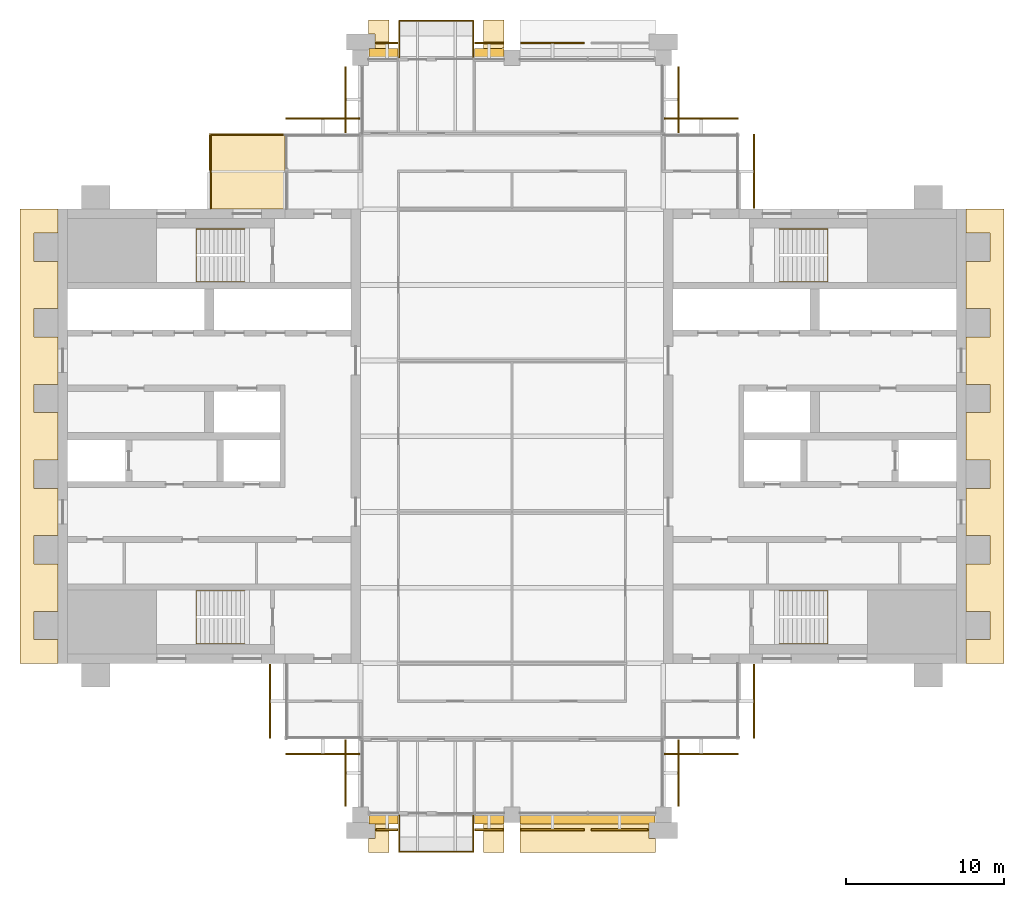
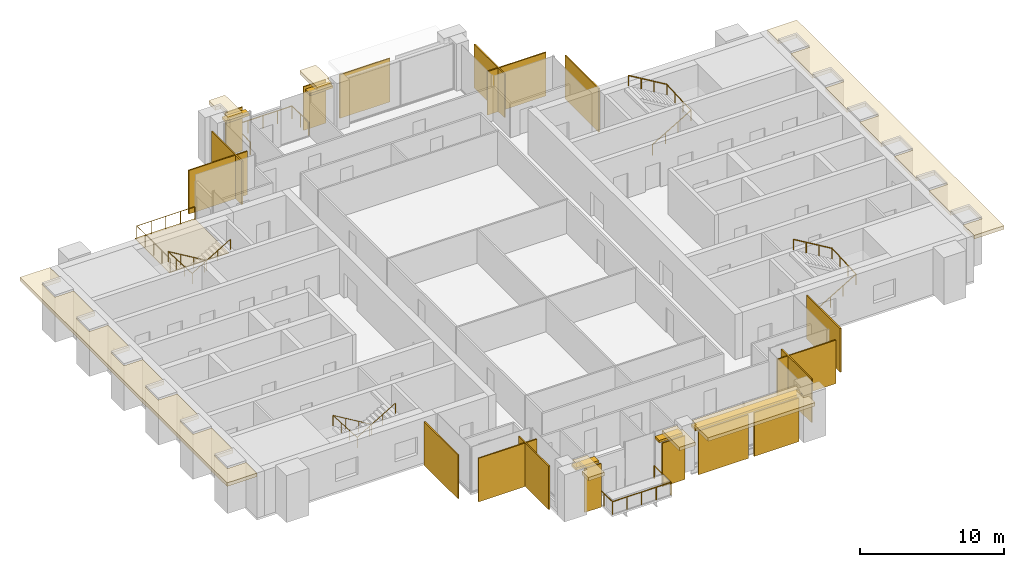
# One storey, part 13 of 14: 26 coverings, 7 railings, 5 shading devices.
"""IFC4 building model written with IfcOpenShell, lengths in metres."""

from ifc_helpers import new_model, si_unit, direction, frame, origin, origin_2d, place, context, subcontext, project, spatial, polyline, rectangle, circle, outline, extrude, material, layer, layer_set, type_object, element, save


model = new_model("IFC4")

# Units and contexts
model_context = context("Model", 3, precision=1e-05, world=origin(), true_north=direction((0.0, 1.0)))
body_context = subcontext(model_context, "Body", "Model", "MODEL_VIEW")
ifc_project = project(units=[si_unit("LENGTHUNIT", "METRE"), si_unit("AREAUNIT", "SQUARE_METRE"), si_unit("VOLUMEUNIT", "CUBIC_METRE"), si_unit("PLANEANGLEUNIT", "RADIAN"), si_unit("MASSUNIT", "GRAM", prefix="KILO")], contexts=[model_context])

# Site, building, storey
site_placement = place(None, origin())
site = spatial("IfcSite", under=ifc_project, at=site_placement, CompositionType="ELEMENT")
building_placement = place(site_placement, origin())
building = spatial("IfcBuilding", under=site, at=building_placement, Name="Baori Bourse Tower", CompositionType="ELEMENT")
storey_placement = place(building_placement, frame((0.0, 0.0, 290.300048828125)))
storey = spatial("IfcBuildingStorey", under=building, at=storey_placement, Name="L63", CompositionType="ELEMENT", Elevation=290.300048828125)

# Coverings
ifc_material_1 = material(Name="Pale anodised aluminium", Category="aluminium")
covering_type_1 = type_object("IfcCoveringType", Name="BD1 Pale metal band", PredefinedType="CLADDING", material=ifc_material_1)
covering_1_placement = place(storey_placement, frame((0.0, 0.0, 3.5400390625)))
element("IfcCovering", 1, at=covering_1_placement, inside=storey, type_object=covering_type_1, Name="Pale projecting band L63 1", PredefinedType="CLADDING", context=body_context, shape_type="SweptSolid", body=[
    extrude(outline(polyline([(57.60009765625, 11.10009765625), (57.60009765625, 9.60009765625), (60.0, 9.60009765625), (60.0, 38.39990234375), (57.60009765625, 38.39990234375), (57.60009765625, 36.89990234375), (59.10009765625, 36.89990234375), (59.10009765625, 35.10009765625), (57.60009765625, 35.10009765625), (57.60009765625, 32.10009765625), (59.10009765625, 32.10009765625), (59.10009765625, 30.300048828125), (57.60009765625, 30.300048828125), (57.60009765625, 27.300048828125), (59.10009765625, 27.300048828125), (59.10009765625, 25.5), (57.60009765625, 25.5), (57.60009765625, 22.5), (59.10009765625, 22.5), (59.10009765625, 20.699951171875), (57.60009765625, 20.699951171875), (57.60009765625, 17.699951171875), (59.10009765625, 17.699951171875), (59.10009765625, 15.89990234375), (57.60009765625, 15.89990234375), (57.60009765625, 12.89990234375), (59.10009765625, 12.89990234375), (59.10009765625, 11.10009765625), (57.60009765625, 11.10009765625)])), origin(), (0.0, 0.0, 1.0), 0.2998046875),
])
covering_2_placement = place(storey_placement, frame((0.0, 0.0, 3.5400390625)))
element("IfcCovering", 2, at=covering_2_placement, inside=storey, type_object=covering_type_1, Name="Pale projecting band L63 3", PredefinedType="CLADDING", context=body_context, shape_type="SweptSolid", body=[
    extrude(outline(polyline([(27.0, 48.0), (28.179931640625, 48.0), (28.179931640625, 48.6201171875), (28.300048828125, 48.6201171875), (28.300048828125, 50.39990234375), (27.0, 50.39990234375), (27.0, 48.0)])), origin(), (0.0, 0.0, 1.0), 0.2998046875),
])
covering_3_placement = place(storey_placement, frame((0.0, 0.0, 3.5400390625)))
element("IfcCovering", 3, at=covering_3_placement, inside=storey, type_object=covering_type_1, Name="Pale projecting band L63 4", PredefinedType="CLADDING", context=body_context, shape_type="SweptSolid", body=[
    extrude(outline(polyline([(19.820068359375, 48.0), (21.0, 48.0), (21.0, 50.39990234375), (19.699951171875, 50.39990234375), (19.699951171875, 49.5), (20.10009765625, 49.5), (20.10009765625, 48.5), (19.820068359375, 48.5), (19.820068359375, 48.0)])), origin(), (0.0, 0.0, 1.0), 0.2998046875),
])
covering_4_placement = place(storey_placement, frame((0.0, 0.0, 3.5400390625)))
element("IfcCovering", 4, at=covering_4_placement, inside=storey, type_object=covering_type_1, Name="Pale projecting band L63 5", PredefinedType="CLADDING", context=body_context, shape_type="SweptSolid", body=[
    extrude(outline(polyline([(0.0, 36.89990234375), (0.0, 38.39990234375), (-2.39990234375, 38.39990234375), (-2.39990234375, 9.60009765625), (0.0, 9.60009765625), (0.0, 11.10009765625), (-1.5, 11.10009765625), (-1.5, 12.89990234375), (0.0, 12.89990234375), (0.0, 15.89990234375), (-1.5, 15.89990234375), (-1.5, 17.699951171875), (0.0, 17.699951171875), (0.0, 20.699951171875), (-1.5, 20.699951171875), (-1.5, 22.5), (0.0, 22.5), (0.0, 25.5), (-1.5, 25.5), (-1.5, 27.300048828125), (0.0, 27.300048828125), (0.0, 30.300048828125), (-1.5, 30.300048828125), (-1.5, 32.10009765625), (0.0, 32.10009765625), (0.0, 35.10009765625), (-1.5, 35.10009765625), (-1.5, 36.89990234375), (0.0, 36.89990234375)])), origin(), (0.0, 0.0, 1.0), 0.2998046875),
])
covering_5_placement = place(storey_placement, frame((0.0, 0.0, 3.5400390625)))
element("IfcCovering", 5, at=covering_5_placement, inside=storey, type_object=covering_type_1, Name="Pale projecting band L63 6", PredefinedType="CLADDING", context=body_context, shape_type="SweptSolid", body=[
    extrude(outline(polyline([(21.0, 0.0), (19.820068359375, 0.0), (19.820068359375, -0.5), (20.10009765625, -0.5), (20.10009765625, -1.5), (19.699951171875, -1.5), (19.699951171875, -2.39990234375), (21.0, -2.39990234375), (21.0, 0.0)])), origin(), (0.0, 0.0, 1.0), 0.2998046875),
])
covering_6_placement = place(storey_placement, frame((0.0, 0.0, 3.5400390625)))
element("IfcCovering", 6, at=covering_6_placement, inside=storey, type_object=covering_type_1, Name="Pale projecting band L63 7", PredefinedType="CLADDING", context=body_context, shape_type="SweptSolid", body=[
    extrude(outline(polyline([(28.179931640625, 0.0), (27.0, 0.0), (27.0, -2.39990234375), (28.300048828125, -2.39990234375), (28.300048828125, -0.6201171875), (28.179931640625, -0.6201171875), (28.179931640625, 0.0)])), origin(), (0.0, 0.0, 1.0), 0.2998046875),
])
covering_7_placement = place(storey_placement, frame((0.0, 0.0, 3.5400390625)))
element("IfcCovering", 7, at=covering_7_placement, inside=storey, type_object=covering_type_1, Name="Pale projecting band L63 8", PredefinedType="CLADDING", context=body_context, shape_type="SweptSolid", body=[
    extrude(outline(polyline([(37.780029296875, 0.0), (29.419921875, 0.0), (29.419921875, -0.6201171875), (29.300048828125, -0.6201171875), (29.300048828125, -2.39990234375), (37.89990234375, -2.39990234375), (37.89990234375, -1.5), (37.5, -1.5), (37.5, -0.5), (37.780029296875, -0.5), (37.780029296875, 0.0)])), origin(), (0.0, 0.0, 1.0), 0.2998046875),
])

# Shading devices
ifc_material_2 = material(Name="Concrete f'c 40 MPa", Category="concrete")
ifc_layer_1 = layer(ifc_material_2, 0.199951171875)
ifc_layer_set_1 = layer_set([ifc_layer_1], Name="BS1 Brise-soleil ledge")
shading_device_type = type_object("IfcShadingDeviceType", Name="BS1 Brise-soleil ledge", PredefinedType="USERDEFINED", material=ifc_layer_set_1)
for number, where, z_axis, x_axis, name in (
    (8, (27.35009765625, 48.300048828125, 3.33984375), (0.0, 0.0, 1.0), (-1.0, 0.0, 0.0), "Brise-soleil ledge L63 2"),
    (9, (20.64990234375, 48.300048828125, 3.33984375), (0.0, 0.0, 1.0), (-1.0, 0.0, 0.0), "Brise-soleil ledge L63 3"),
    (10, (20.64990234375, -0.300048828125, 3.33984375), (0.0, 0.0, 1.0), (1.0, 0.0, 0.0), "Brise-soleil ledge L63 4"),
    (11, (27.35009765625, -0.300048828125, 3.33984375), (0.0, 0.0, 1.0), (1.0, 0.0, 0.0), "Brise-soleil ledge L63 5"),
):
    element("IfcShadingDevice", number, at=place(storey_placement, frame(where, z_axis=z_axis, x_axis=x_axis)), inside=storey, type_object=shading_device_type, Name=name, ObjectType="BRISE SOLEIL", PredefinedType="USERDEFINED", context=body_context, shape_type="SweptSolid", body=[
        extrude(rectangle(XDim=1.860107421875, YDim=0.60009765625, at=origin_2d()), origin(), (0.0, 0.0, 1.0), 0.199951171875),
    ])
shading_device_placement = place(storey_placement, frame((33.60009765625, -0.300048828125, 3.33984375), z_axis=(0.0, 0.0, 1.0), x_axis=(1.0, 0.0, 0.0)))
element("IfcShadingDevice", 12, at=shading_device_placement, inside=storey, type_object=shading_device_type, Name="Brise-soleil ledge L63 6", ObjectType="BRISE SOLEIL", PredefinedType="USERDEFINED", context=body_context, shape_type="SweptSolid", body=[
    extrude(rectangle(XDim=8.56005859375, YDim=0.60009765625, at=origin_2d()), origin(), (0.0, 0.0, 1.0), 0.199951171875),
])

# Railings
ifc_material_3 = material(Name="Powder-coated steel balustrade", Category="steel")
railing_type_1 = type_object("IfcRailingType", Name="Core stair handrail", PredefinedType="HANDRAIL", material=ifc_material_3)
railing_1_placement = place(storey_placement, frame((11.85009765625, 14.199951171875, 0.16650390625)))
element("IfcRailing", 13, at=railing_1_placement, inside=storey, type_object=railing_type_1, Name="L63 ST1 stair handrail 1", PredefinedType="HANDRAIL", context=body_context, shape_type="SweptSolid", body=[
    extrude(circle(Radius=0.02392578125, at=origin_2d()), frame((0.0, 0.0, 0.8759765625), z_axis=(-0.85927862911, 0.0, 0.511507807912), x_axis=(0.0, -1.0, 0.0)), (0.0, 0.0, 1.0), 3.58447265625),
    extrude(circle(Radius=0.02392578125, at=origin_2d()), frame((-3.080078125, 0.0, 2.70947265625), z_axis=(0.0, -0.998766999029, 0.049643545903), x_axis=(1.0, 0.0, 0.0)), (0.0, 0.0, 1.0), 3.35400390625),
    extrude(circle(Radius=0.02392578125, at=origin_2d()), frame((-3.080078125, -3.349853515625, 2.8759765625), z_axis=(0.85927862911, 0.0, 0.511507807912), x_axis=(0.0, 1.0, 0.0)), (0.0, 0.0, 1.0), 3.58447265625),
    extrude(circle(Radius=0.02099609375, at=origin_2d()), origin(), (0.0, 0.0, 1.0), 0.851806640625),
    extrude(circle(Radius=0.02099609375, at=origin_2d()), frame((-1.026611328125, 0.0, 0.611083984375)), (0.0, 0.0, 1.0), 0.851806640625),
    extrude(circle(Radius=0.02099609375, at=origin_2d()), frame((-2.053466796875, 0.0, 1.222412109375)), (0.0, 0.0, 1.0), 0.851806640625),
    extrude(circle(Radius=0.02099609375, at=origin_2d()), frame((-3.080078125, 0.0, 1.83349609375)), (0.0, 0.0, 1.0), 0.851806640625),
    extrude(circle(Radius=0.02099609375, at=origin_2d()), frame((-3.080078125, -1.11669921875, 1.888916015625)), (0.0, 0.0, 1.0), 0.851806640625),
    extrude(circle(Radius=0.02099609375, at=origin_2d()), frame((-3.080078125, -2.233154296875, 1.944580078125)), (0.0, 0.0, 1.0), 0.851806640625),
    extrude(circle(Radius=0.02099609375, at=origin_2d()), frame((-3.080078125, -3.349853515625, 2.0)), (0.0, 0.0, 1.0), 0.851806640625),
    extrude(circle(Radius=0.02099609375, at=origin_2d()), frame((-2.053466796875, -3.349853515625, 2.611083984375)), (0.0, 0.0, 1.0), 0.851806640625),
    extrude(circle(Radius=0.02099609375, at=origin_2d()), frame((-1.026611328125, -3.349853515625, 3.222412109375)), (0.0, 0.0, 1.0), 0.851806640625),
    extrude(circle(Radius=0.02099609375, at=origin_2d()), frame((0.0, -3.349853515625, 3.83349609375)), (0.0, 0.0, 1.0), 0.851806640625),
])
railing_2_placement = place(storey_placement, frame((11.85009765625, 37.14990234375, 0.16650390625)))
element("IfcRailing", 14, at=railing_2_placement, inside=storey, type_object=railing_type_1, Name="L63 ST2 stair handrail 1", PredefinedType="HANDRAIL", context=body_context, shape_type="SweptSolid", body=[
    extrude(circle(Radius=0.02392578125, at=origin_2d()), frame((0.0, 0.0, 0.8759765625), z_axis=(-0.85927862911, 0.0, 0.511507807912), x_axis=(0.0, -1.0, 0.0)), (0.0, 0.0, 1.0), 3.58447265625),
    extrude(circle(Radius=0.02392578125, at=origin_2d()), frame((-3.080078125, 0.0, 2.70947265625), z_axis=(0.0, -0.998766999029, 0.049643545903), x_axis=(1.0, 0.0, 0.0)), (0.0, 0.0, 1.0), 3.35400390625),
    extrude(circle(Radius=0.02392578125, at=origin_2d()), frame((-3.080078125, -3.349853515625, 2.8759765625), z_axis=(0.85927862911, 0.0, 0.511507807912), x_axis=(0.0, 1.0, 0.0)), (0.0, 0.0, 1.0), 3.58447265625),
    extrude(circle(Radius=0.02099609375, at=origin_2d()), origin(), (0.0, 0.0, 1.0), 0.851806640625),
    extrude(circle(Radius=0.02099609375, at=origin_2d()), frame((-1.026611328125, 0.0, 0.611083984375)), (0.0, 0.0, 1.0), 0.851806640625),
    extrude(circle(Radius=0.02099609375, at=origin_2d()), frame((-2.053466796875, 0.0, 1.222412109375)), (0.0, 0.0, 1.0), 0.851806640625),
    extrude(circle(Radius=0.02099609375, at=origin_2d()), frame((-3.080078125, 0.0, 1.83349609375)), (0.0, 0.0, 1.0), 0.851806640625),
    extrude(circle(Radius=0.02099609375, at=origin_2d()), frame((-3.080078125, -1.11669921875, 1.888916015625)), (0.0, 0.0, 1.0), 0.851806640625),
    extrude(circle(Radius=0.02099609375, at=origin_2d()), frame((-3.080078125, -2.233154296875, 1.944580078125)), (0.0, 0.0, 1.0), 0.851806640625),
    extrude(circle(Radius=0.02099609375, at=origin_2d()), frame((-3.080078125, -3.349853515625, 2.0)), (0.0, 0.0, 1.0), 0.851806640625),
    extrude(circle(Radius=0.02099609375, at=origin_2d()), frame((-2.053466796875, -3.349853515625, 2.611083984375)), (0.0, 0.0, 1.0), 0.851806640625),
    extrude(circle(Radius=0.02099609375, at=origin_2d()), frame((-1.026611328125, -3.349853515625, 3.222412109375)), (0.0, 0.0, 1.0), 0.851806640625),
    extrude(circle(Radius=0.02099609375, at=origin_2d()), frame((0.0, -3.349853515625, 3.83349609375)), (0.0, 0.0, 1.0), 0.851806640625),
])
railing_3_placement = place(storey_placement, frame((45.75, 10.85009765625, 0.16650390625)))
element("IfcRailing", 15, at=railing_3_placement, inside=storey, type_object=railing_type_1, Name="L63 ST3 stair handrail 1", PredefinedType="HANDRAIL", context=body_context, shape_type="SweptSolid", body=[
    extrude(circle(Radius=0.02392578125, at=origin_2d()), frame((0.0, 0.0, 0.8759765625), z_axis=(0.85927862911, 0.0, 0.511507807912), x_axis=(0.0, 1.0, 0.0)), (0.0, 0.0, 1.0), 3.58447265625),
    extrude(circle(Radius=0.02392578125, at=origin_2d()), frame((3.080078125, 0.0, 2.70947265625), z_axis=(0.0, 0.998766999029, 0.049643545903), x_axis=(-1.0, 0.0, 0.0)), (0.0, 0.0, 1.0), 3.35400390625),
    extrude(circle(Radius=0.02392578125, at=origin_2d()), frame((3.080078125, 3.349853515625, 2.8759765625), z_axis=(-0.85927862911, 0.0, 0.511507807912), x_axis=(0.0, -1.0, 0.0)), (0.0, 0.0, 1.0), 3.58447265625),
    extrude(circle(Radius=0.02099609375, at=origin_2d()), origin(), (0.0, 0.0, 1.0), 0.851806640625),
    extrude(circle(Radius=0.02099609375, at=origin_2d()), frame((1.026611328125, 0.0, 0.611083984375)), (0.0, 0.0, 1.0), 0.851806640625),
    extrude(circle(Radius=0.02099609375, at=origin_2d()), frame((2.053466796875, 0.0, 1.222412109375)), (0.0, 0.0, 1.0), 0.851806640625),
    extrude(circle(Radius=0.02099609375, at=origin_2d()), frame((3.080078125, 0.0, 1.83349609375)), (0.0, 0.0, 1.0), 0.851806640625),
    extrude(circle(Radius=0.02099609375, at=origin_2d()), frame((3.080078125, 1.11669921875, 1.888916015625)), (0.0, 0.0, 1.0), 0.851806640625),
    extrude(circle(Radius=0.02099609375, at=origin_2d()), frame((3.080078125, 2.233154296875, 1.944580078125)), (0.0, 0.0, 1.0), 0.851806640625),
    extrude(circle(Radius=0.02099609375, at=origin_2d()), frame((3.080078125, 3.349853515625, 2.0)), (0.0, 0.0, 1.0), 0.851806640625),
    extrude(circle(Radius=0.02099609375, at=origin_2d()), frame((2.053466796875, 3.349853515625, 2.611083984375)), (0.0, 0.0, 1.0), 0.851806640625),
    extrude(circle(Radius=0.02099609375, at=origin_2d()), frame((1.026611328125, 3.349853515625, 3.222412109375)), (0.0, 0.0, 1.0), 0.851806640625),
    extrude(circle(Radius=0.02099609375, at=origin_2d()), frame((0.0, 3.349853515625, 3.83349609375)), (0.0, 0.0, 1.0), 0.851806640625),
])
railing_4_placement = place(storey_placement, frame((45.75, 33.800048828125, 0.16650390625)))
element("IfcRailing", 16, at=railing_4_placement, inside=storey, type_object=railing_type_1, Name="L63 ST4 stair handrail 1", PredefinedType="HANDRAIL", context=body_context, shape_type="SweptSolid", body=[
    extrude(circle(Radius=0.02392578125, at=origin_2d()), frame((0.0, 0.0, 0.8759765625), z_axis=(0.85927862911, 0.0, 0.511507807912), x_axis=(0.0, 1.0, 0.0)), (0.0, 0.0, 1.0), 3.58447265625),
    extrude(circle(Radius=0.02392578125, at=origin_2d()), frame((3.080078125, 0.0, 2.70947265625), z_axis=(0.0, 0.998766999029, 0.049643545903), x_axis=(-1.0, 0.0, 0.0)), (0.0, 0.0, 1.0), 3.35400390625),
    extrude(circle(Radius=0.02392578125, at=origin_2d()), frame((3.080078125, 3.349853515625, 2.8759765625), z_axis=(-0.85927862911, 0.0, 0.511507807912), x_axis=(0.0, -1.0, 0.0)), (0.0, 0.0, 1.0), 3.58447265625),
    extrude(circle(Radius=0.02099609375, at=origin_2d()), origin(), (0.0, 0.0, 1.0), 0.851806640625),
    extrude(circle(Radius=0.02099609375, at=origin_2d()), frame((1.026611328125, 0.0, 0.611083984375)), (0.0, 0.0, 1.0), 0.851806640625),
    extrude(circle(Radius=0.02099609375, at=origin_2d()), frame((2.053466796875, 0.0, 1.222412109375)), (0.0, 0.0, 1.0), 0.851806640625),
    extrude(circle(Radius=0.02099609375, at=origin_2d()), frame((3.080078125, 0.0, 1.83349609375)), (0.0, 0.0, 1.0), 0.851806640625),
    extrude(circle(Radius=0.02099609375, at=origin_2d()), frame((3.080078125, 1.11669921875, 1.888916015625)), (0.0, 0.0, 1.0), 0.851806640625),
    extrude(circle(Radius=0.02099609375, at=origin_2d()), frame((3.080078125, 2.233154296875, 1.944580078125)), (0.0, 0.0, 1.0), 0.851806640625),
    extrude(circle(Radius=0.02099609375, at=origin_2d()), frame((3.080078125, 3.349853515625, 2.0)), (0.0, 0.0, 1.0), 0.851806640625),
    extrude(circle(Radius=0.02099609375, at=origin_2d()), frame((2.053466796875, 3.349853515625, 2.611083984375)), (0.0, 0.0, 1.0), 0.851806640625),
    extrude(circle(Radius=0.02099609375, at=origin_2d()), frame((1.026611328125, 3.349853515625, 3.222412109375)), (0.0, 0.0, 1.0), 0.851806640625),
    extrude(circle(Radius=0.02099609375, at=origin_2d()), frame((0.0, 3.349853515625, 3.83349609375)), (0.0, 0.0, 1.0), 0.851806640625),
])
ifc_material_4 = material(Name="Stainless steel", Category="steel")
railing_type_2 = type_object("IfcRailingType", Name="GD1 Guard", PredefinedType="GUARDRAIL", material=ifc_material_4)
railing_5_placement = place(storey_placement, frame((9.699951171875, 38.429931640625, 0.0400390625)))
element("IfcRailing", 17, at=railing_5_placement, inside=storey, type_object=railing_type_2, Name="Guard terrace NW L63 1", PredefinedType="GUARDRAIL", context=body_context, shape_type="SweptSolid", body=[
    extrude(circle(Radius=0.02392578125, at=origin_2d()), frame((0.0, 0.0, 1.076171875), z_axis=(0.0, 1.0, 0.0), x_axis=(-1.0, 0.0, 0.0)), (0.0, 0.0, 1.0), 4.670166015625),
    extrude(circle(Radius=0.02392578125, at=origin_2d()), frame((0.0, 4.670166015625, 1.076171875), z_axis=(1.0, 0.0, 0.0), x_axis=(0.0, 1.0, 0.0)), (0.0, 0.0, 1.0), 4.670166015625),
    extrude(circle(Radius=0.02099609375, at=origin_2d()), origin(), (0.0, 0.0, 1.0), 1.052001953125),
    extrude(circle(Radius=0.02099609375, at=origin_2d()), frame((0.0, 1.16748046875, 0.0)), (0.0, 0.0, 1.0), 1.052001953125),
    extrude(circle(Radius=0.02099609375, at=origin_2d()), frame((0.0, 2.3349609375, 0.0)), (0.0, 0.0, 1.0), 1.052001953125),
    extrude(circle(Radius=0.02099609375, at=origin_2d()), frame((0.0, 3.502685546875, 0.0)), (0.0, 0.0, 1.0), 1.052001953125),
    extrude(circle(Radius=0.02099609375, at=origin_2d()), frame((0.0, 4.670166015625, 0.0)), (0.0, 0.0, 1.0), 1.052001953125),
    extrude(circle(Radius=0.02099609375, at=origin_2d()), frame((1.16748046875, 4.670166015625, 0.0)), (0.0, 0.0, 1.0), 1.052001953125),
    extrude(circle(Radius=0.02099609375, at=origin_2d()), frame((2.3349609375, 4.670166015625, 0.0)), (0.0, 0.0, 1.0), 1.052001953125),
    extrude(circle(Radius=0.02099609375, at=origin_2d()), frame((3.502685546875, 4.670166015625, 0.0)), (0.0, 0.0, 1.0), 1.052001953125),
    extrude(circle(Radius=0.02099609375, at=origin_2d()), frame((4.670166015625, 4.670166015625, 0.0)), (0.0, 0.0, 1.0), 1.052001953125),
])
railing_6_placement = place(storey_placement, frame((21.64990234375, -0.030029296875, 0.0)))
element("IfcRailing", 18, at=railing_6_placement, inside=storey, type_object=railing_type_2, Name="Guard balcony S L63 2", PredefinedType="GUARDRAIL", context=body_context, shape_type="SweptSolid", body=[
    extrude(circle(Radius=0.02392578125, at=origin_2d()), frame((0.0, 0.0, 1.076171875), z_axis=(0.0, -1.0, 0.0), x_axis=(1.0, 0.0, 0.0)), (0.0, 0.0, 1.0), 2.320068359375),
    extrude(circle(Radius=0.02392578125, at=origin_2d()), frame((0.0, -2.320068359375, 1.076171875), z_axis=(1.0, 0.0, 0.0), x_axis=(0.0, 1.0, 0.0)), (0.0, 0.0, 1.0), 4.7001953125),
    extrude(circle(Radius=0.02392578125, at=origin_2d()), frame((4.7001953125, -2.320068359375, 1.076171875), z_axis=(0.0, 1.0, 0.0), x_axis=(-1.0, 0.0, 0.0)), (0.0, 0.0, 1.0), 2.320068359375),
    extrude(circle(Radius=0.02099609375, at=origin_2d()), origin(), (0.0, 0.0, 1.0), 1.052001953125),
    extrude(circle(Radius=0.02099609375, at=origin_2d()), frame((0.0, -1.16015625, 0.0)), (0.0, 0.0, 1.0), 1.052001953125),
    extrude(circle(Radius=0.02099609375, at=origin_2d()), frame((0.0, -2.320068359375, 0.0)), (0.0, 0.0, 1.0), 1.052001953125),
    extrude(circle(Radius=0.02099609375, at=origin_2d()), frame((1.175048828125, -2.320068359375, 0.0)), (0.0, 0.0, 1.0), 1.052001953125),
    extrude(circle(Radius=0.02099609375, at=origin_2d()), frame((2.35009765625, -2.320068359375, 0.0)), (0.0, 0.0, 1.0), 1.052001953125),
    extrude(circle(Radius=0.02099609375, at=origin_2d()), frame((3.525146484375, -2.320068359375, 0.0)), (0.0, 0.0, 1.0), 1.052001953125),
    extrude(circle(Radius=0.02099609375, at=origin_2d()), frame((4.7001953125, -2.320068359375, 0.0)), (0.0, 0.0, 1.0), 1.052001953125),
    extrude(circle(Radius=0.02099609375, at=origin_2d()), frame((4.7001953125, -1.16015625, 0.0)), (0.0, 0.0, 1.0), 1.052001953125),
    extrude(circle(Radius=0.02099609375, at=origin_2d()), frame((4.7001953125, 0.0, 0.0)), (0.0, 0.0, 1.0), 1.052001953125),
])
railing_7_placement = place(storey_placement, frame((21.64990234375, 48.030029296875, 0.0)))
element("IfcRailing", 19, at=railing_7_placement, inside=storey, type_object=railing_type_2, Name="Guard balcony N L63 3", PredefinedType="GUARDRAIL", context=body_context, shape_type="SweptSolid", body=[
    extrude(circle(Radius=0.02392578125, at=origin_2d()), frame((0.0, 0.0, 1.076171875), z_axis=(0.0, 1.0, 0.0), x_axis=(-1.0, 0.0, 0.0)), (0.0, 0.0, 1.0), 2.320068359375),
    extrude(circle(Radius=0.02392578125, at=origin_2d()), frame((0.0, 2.320068359375, 1.076171875), z_axis=(1.0, 0.0, 0.0), x_axis=(0.0, 1.0, 0.0)), (0.0, 0.0, 1.0), 4.7001953125),
    extrude(circle(Radius=0.02392578125, at=origin_2d()), frame((4.7001953125, 2.320068359375, 1.076171875), z_axis=(0.0, -1.0, 0.0), x_axis=(1.0, 0.0, 0.0)), (0.0, 0.0, 1.0), 2.320068359375),
    extrude(circle(Radius=0.02099609375, at=origin_2d()), origin(), (0.0, 0.0, 1.0), 1.052001953125),
    extrude(circle(Radius=0.02099609375, at=origin_2d()), frame((0.0, 1.16015625, 0.0)), (0.0, 0.0, 1.0), 1.052001953125),
    extrude(circle(Radius=0.02099609375, at=origin_2d()), frame((0.0, 2.320068359375, 0.0)), (0.0, 0.0, 1.0), 1.052001953125),
    extrude(circle(Radius=0.02099609375, at=origin_2d()), frame((1.175048828125, 2.320068359375, 0.0)), (0.0, 0.0, 1.0), 1.052001953125),
    extrude(circle(Radius=0.02099609375, at=origin_2d()), frame((2.35009765625, 2.320068359375, 0.0)), (0.0, 0.0, 1.0), 1.052001953125),
    extrude(circle(Radius=0.02099609375, at=origin_2d()), frame((3.525146484375, 2.320068359375, 0.0)), (0.0, 0.0, 1.0), 1.052001953125),
    extrude(circle(Radius=0.02099609375, at=origin_2d()), frame((4.7001953125, 2.320068359375, 0.0)), (0.0, 0.0, 1.0), 1.052001953125),
    extrude(circle(Radius=0.02099609375, at=origin_2d()), frame((4.7001953125, 1.16015625, 0.0)), (0.0, 0.0, 1.0), 1.052001953125),
    extrude(circle(Radius=0.02099609375, at=origin_2d()), frame((4.7001953125, 0.0, 0.0)), (0.0, 0.0, 1.0), 1.052001953125),
])

# Coverings
ifc_material_5 = material(Name="Pale anodised aluminium", Category="aluminium")
ifc_layer_2 = layer(ifc_material_5, 0.10009765625)
ifc_layer_set_2 = layer_set([ifc_layer_2], Name="OS3 Outer skin screen panel")
covering_type_2 = type_object("IfcCoveringType", Name="OS3 Outer skin screen panel", PredefinedType="CLADDING", material=ifc_layer_set_2)
covering_8_placement = place(storey_placement, frame((0.0, 0.0, -0.16015625)))
element("IfcCovering", 20, at=covering_8_placement, inside=storey, type_object=covering_type_2, Name="Outer skin screen L63 1", PredefinedType="CLADDING", context=body_context, shape_type="SweptSolid", body=[
    extrude(outline(polyline([(44.10009765625, 43.14990234375), (44.10009765625, 38.449951171875), (44.199951171875, 38.449951171875), (44.199951171875, 43.14990234375), (44.10009765625, 43.14990234375)])), origin(), (0.0, 0.0, 1.0), 3.7001953125),
])
covering_9_placement = place(storey_placement, frame((0.0, 0.0, -0.16015625)))
element("IfcCovering", 21, at=covering_9_placement, inside=storey, type_object=covering_type_2, Name="Outer skin screen L63 2", PredefinedType="CLADDING", context=body_context, shape_type="SweptSolid", body=[
    extrude(outline(polyline([(38.449951171875, 44.10009765625), (43.14990234375, 44.10009765625), (43.14990234375, 44.199951171875), (38.449951171875, 44.199951171875), (38.449951171875, 44.10009765625)])), origin(), (0.0, 0.0, 1.0), 3.7001953125),
])
covering_10_placement = place(storey_placement, frame((0.0, 0.0, -0.16015625)))
element("IfcCovering", 22, at=covering_10_placement, inside=storey, type_object=covering_type_2, Name="Outer skin screen L63 3", PredefinedType="CLADDING", context=body_context, shape_type="SweptSolid", body=[
    extrude(outline(polyline([(39.300048828125, 47.449951171875), (39.300048828125, 43.25), (39.39990234375, 43.25), (39.39990234375, 47.449951171875), (39.300048828125, 47.449951171875)])), origin(), (0.0, 0.0, 1.0), 3.7001953125),
])
covering_11_placement = place(storey_placement, frame((0.0, 0.0, -0.16015625)))
element("IfcCovering", 23, at=covering_11_placement, inside=storey, type_object=covering_type_2, Name="Outer skin screen L63 5", PredefinedType="CLADDING", context=body_context, shape_type="SweptSolid", body=[
    extrude(outline(polyline([(29.35009765625, 48.89990234375), (33.375, 48.89990234375), (33.375, 49.0), (29.35009765625, 49.0), (29.35009765625, 48.89990234375)])), origin(), (0.0, 0.0, 1.0), 3.7001953125),
])
covering_12_placement = place(storey_placement, frame((0.0, 0.0, -0.16015625)))
element("IfcCovering", 24, at=covering_12_placement, inside=storey, type_object=covering_type_2, Name="Outer skin screen L63 6", PredefinedType="CLADDING", context=body_context, shape_type="SweptSolid", body=[
    extrude(outline(polyline([(26.449951171875, 48.89990234375), (28.25, 48.89990234375), (28.25, 49.0), (26.449951171875, 49.0), (26.449951171875, 48.89990234375)])), origin(), (0.0, 0.0, 1.0), 3.7001953125),
])
covering_13_placement = place(storey_placement, frame((0.0, 0.0, -0.16015625)))
element("IfcCovering", 25, at=covering_13_placement, inside=storey, type_object=covering_type_2, Name="Outer skin screen L63 7", PredefinedType="CLADDING", context=body_context, shape_type="SweptSolid", body=[
    extrude(outline(polyline([(20.199951171875, 48.89990234375), (21.550048828125, 48.89990234375), (21.550048828125, 49.0), (20.199951171875, 49.0), (20.199951171875, 48.89990234375)])), origin(), (0.0, 0.0, 1.0), 3.7001953125),
])
covering_14_placement = place(storey_placement, frame((0.0, 0.0, -0.16015625)))
element("IfcCovering", 26, at=covering_14_placement, inside=storey, type_object=covering_type_2, Name="Outer skin screen L63 8", PredefinedType="CLADDING", context=body_context, shape_type="SweptSolid", body=[
    extrude(outline(polyline([(18.300048828125, 43.25), (18.300048828125, 47.449951171875), (18.199951171875, 47.449951171875), (18.199951171875, 43.25), (18.300048828125, 43.25)])), origin(), (0.0, 0.0, 1.0), 3.7001953125),
])
covering_15_placement = place(storey_placement, frame((0.0, 0.0, -0.16015625)))
element("IfcCovering", 27, at=covering_15_placement, inside=storey, type_object=covering_type_2, Name="Outer skin screen L63 9", PredefinedType="CLADDING", context=body_context, shape_type="SweptSolid", body=[
    extrude(outline(polyline([(14.449951171875, 44.10009765625), (19.14990234375, 44.10009765625), (19.14990234375, 44.199951171875), (14.449951171875, 44.199951171875), (14.449951171875, 44.10009765625)])), origin(), (0.0, 0.0, 1.0), 3.7001953125),
])
covering_16_placement = place(storey_placement, frame((0.0, 0.0, -0.16015625)))
element("IfcCovering", 28, at=covering_16_placement, inside=storey, type_object=covering_type_2, Name="Outer skin screen L63 10", PredefinedType="CLADDING", context=body_context, shape_type="SweptSolid", body=[
    extrude(outline(polyline([(13.5, 4.85009765625), (13.5, 9.550048828125), (13.39990234375, 9.550048828125), (13.39990234375, 4.85009765625), (13.5, 4.85009765625)])), origin(), (0.0, 0.0, 1.0), 3.7001953125),
])
covering_17_placement = place(storey_placement, frame((0.0, 0.0, -0.16015625)))
element("IfcCovering", 29, at=covering_17_placement, inside=storey, type_object=covering_type_2, Name="Outer skin screen L63 11", PredefinedType="CLADDING", context=body_context, shape_type="SweptSolid", body=[
    extrude(outline(polyline([(19.14990234375, 3.89990234375), (14.449951171875, 3.89990234375), (14.449951171875, 3.800048828125), (19.14990234375, 3.800048828125), (19.14990234375, 3.89990234375)])), origin(), (0.0, 0.0, 1.0), 3.7001953125),
])
covering_18_placement = place(storey_placement, frame((0.0, 0.0, -0.16015625)))
element("IfcCovering", 30, at=covering_18_placement, inside=storey, type_object=covering_type_2, Name="Outer skin screen L63 12", PredefinedType="CLADDING", context=body_context, shape_type="SweptSolid", body=[
    extrude(outline(polyline([(18.300048828125, 0.550048828125), (18.300048828125, 4.75), (18.199951171875, 4.75), (18.199951171875, 0.550048828125), (18.300048828125, 0.550048828125)])), origin(), (0.0, 0.0, 1.0), 3.7001953125),
])
covering_19_placement = place(storey_placement, frame((0.0, 0.0, -0.16015625)))
element("IfcCovering", 31, at=covering_19_placement, inside=storey, type_object=covering_type_2, Name="Outer skin screen L63 13", PredefinedType="CLADDING", context=body_context, shape_type="SweptSolid", body=[
    extrude(outline(polyline([(21.550048828125, -0.89990234375), (20.199951171875, -0.89990234375), (20.199951171875, -1.0), (21.550048828125, -1.0), (21.550048828125, -0.89990234375)])), origin(), (0.0, 0.0, 1.0), 3.7001953125),
])
covering_20_placement = place(storey_placement, frame((0.0, 0.0, -0.16015625)))
element("IfcCovering", 32, at=covering_20_placement, inside=storey, type_object=covering_type_2, Name="Outer skin screen L63 14", PredefinedType="CLADDING", context=body_context, shape_type="SweptSolid", body=[
    extrude(outline(polyline([(28.25, -0.89990234375), (26.449951171875, -0.89990234375), (26.449951171875, -1.0), (28.25, -1.0), (28.25, -0.89990234375)])), origin(), (0.0, 0.0, 1.0), 3.7001953125),
])
covering_21_placement = place(storey_placement, frame((0.0, 0.0, -0.16015625)))
element("IfcCovering", 33, at=covering_21_placement, inside=storey, type_object=covering_type_2, Name="Outer skin screen L63 15", PredefinedType="CLADDING", context=body_context, shape_type="SweptSolid", body=[
    extrude(outline(polyline([(33.375, -0.89990234375), (29.35009765625, -0.89990234375), (29.35009765625, -1.0), (33.375, -1.0), (33.375, -0.89990234375)])), origin(), (0.0, 0.0, 1.0), 3.7001953125),
])
covering_22_placement = place(storey_placement, frame((0.0, 0.0, -0.16015625)))
element("IfcCovering", 34, at=covering_22_placement, inside=storey, type_object=covering_type_2, Name="Outer skin screen L63 16", PredefinedType="CLADDING", context=body_context, shape_type="SweptSolid", body=[
    extrude(outline(polyline([(37.39990234375, -0.89990234375), (33.824951171875, -0.89990234375), (33.824951171875, -1.0), (37.39990234375, -1.0), (37.39990234375, -0.89990234375)])), origin(), (0.0, 0.0, 1.0), 3.7001953125),
])
covering_23_placement = place(storey_placement, frame((0.0, 0.0, -0.16015625)))
element("IfcCovering", 35, at=covering_23_placement, inside=storey, type_object=covering_type_2, Name="Outer skin screen L63 17", PredefinedType="CLADDING", context=body_context, shape_type="SweptSolid", body=[
    extrude(outline(polyline([(39.300048828125, 4.75), (39.300048828125, 0.550048828125), (39.39990234375, 0.550048828125), (39.39990234375, 4.75), (39.300048828125, 4.75)])), origin(), (0.0, 0.0, 1.0), 3.7001953125),
])
covering_24_placement = place(storey_placement, frame((0.0, 0.0, -0.16015625)))
element("IfcCovering", 36, at=covering_24_placement, inside=storey, type_object=covering_type_2, Name="Outer skin screen L63 18", PredefinedType="CLADDING", context=body_context, shape_type="SweptSolid", body=[
    extrude(outline(polyline([(43.14990234375, 3.89990234375), (38.449951171875, 3.89990234375), (38.449951171875, 3.800048828125), (43.14990234375, 3.800048828125), (43.14990234375, 3.89990234375)])), origin(), (0.0, 0.0, 1.0), 3.7001953125),
])
covering_25_placement = place(storey_placement, frame((0.0, 0.0, -0.16015625)))
element("IfcCovering", 37, at=covering_25_placement, inside=storey, type_object=covering_type_2, Name="Outer skin screen L63 19", PredefinedType="CLADDING", context=body_context, shape_type="SweptSolid", body=[
    extrude(outline(polyline([(44.10009765625, 9.550048828125), (44.10009765625, 4.85009765625), (44.199951171875, 4.85009765625), (44.199951171875, 9.550048828125), (44.10009765625, 9.550048828125)])), origin(), (0.0, 0.0, 1.0), 3.7001953125),
])
ifc_material_6 = material(Name="Granite paving", Category="masonry")
ifc_layer_3 = layer(ifc_material_6, 0.0400390625)
ifc_layer_set_3 = layer_set([ifc_layer_3], Name="PV1 Deck paving")
covering_type_3 = type_object("IfcCoveringType", Name="PV1 Deck paving", PredefinedType="FLOORING", material=ifc_layer_set_3)
covering_26_placement = place(storey_placement, origin())
element("IfcCovering", 38, at=covering_26_placement, inside=storey, type_object=covering_type_3, Name="Terrace paving L63 1", PredefinedType="FLOORING", context=body_context, shape_type="SweptSolid", body=[
    extrude(outline(polyline([(14.39990234375, 38.39990234375), (14.39990234375, 43.199951171875), (9.60009765625, 43.199951171875), (9.60009765625, 38.39990234375), (14.39990234375, 38.39990234375)])), origin(), (0.0, 0.0, 1.0), 0.0400390625),
])

save(model, "model.ifc")
